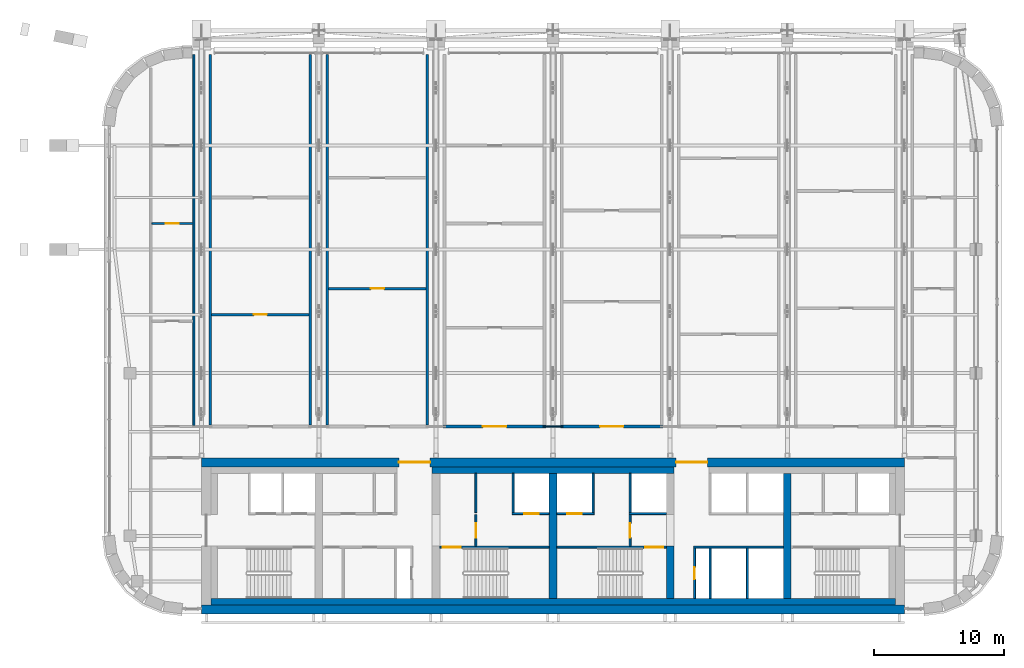
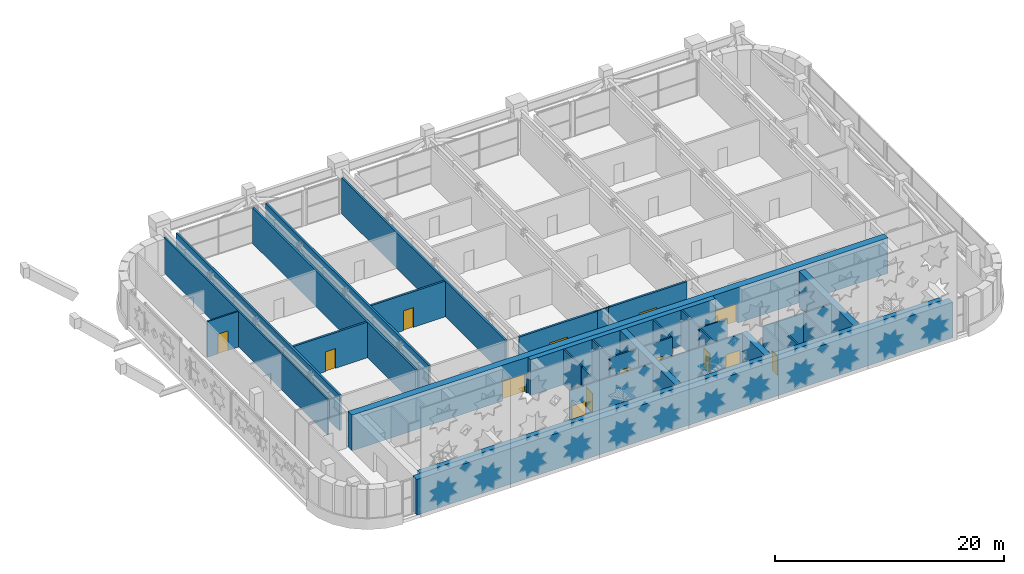
# One storey, part 17 of 26: 33 walls, 14 doors, 14 openings.
"""IFC4 building model written with IfcOpenShell, lengths in metres."""

from ifc_helpers import new_model, si_unit, direction, frame, frame_2d, origin, place, context, subcontext, project, spatial, rectangle, extrude, material, layer, layer_set, type_object, element, fill, save


model = new_model("IFC4")

# Units and contexts
model_context = context("Model", 3, precision=1e-05, world=origin(), true_north=direction((0.0, 1.0)))
body_context = subcontext(model_context, "Body", "Model", "MODEL_VIEW")
ifc_project = project(units=[si_unit("LENGTHUNIT", "METRE"), si_unit("AREAUNIT", "SQUARE_METRE"), si_unit("VOLUMEUNIT", "CUBIC_METRE"), si_unit("PLANEANGLEUNIT", "RADIAN"), si_unit("MASSUNIT", "GRAM", prefix="KILO")], contexts=[model_context])

# Site, building, storey
site_placement = place(None, origin())
site = spatial("IfcSite", under=ifc_project, at=site_placement, CompositionType="ELEMENT")
building_placement = place(site_placement, origin())
building = spatial("IfcBuilding", under=site, at=building_placement, Name="Zellij Exchange Tower", CompositionType="ELEMENT")
storey_placement = place(building_placement, frame((0.0, 0.0, 216.5)))
storey = spatial("IfcBuildingStorey", under=building, at=storey_placement, Name="L50", CompositionType="ELEMENT", Elevation=216.5)

# Walls
ifc_material_1 = material(Name="Concrete C50/60", Category="concrete")
ifc_layer_1 = layer(ifc_material_1, 0.60009765625)
ifc_layer_set_1 = layer_set([ifc_layer_1], Name="Concrete C50/60")
wall_type_1 = type_object("IfcWallType", Name="CORE-CW 600 C50/60", PredefinedType="SHEAR", material=ifc_layer_set_1)
wall_1_placement = place(storey_placement, frame((0.0, -12.800048828125, 0.0), z_axis=(0.0, 0.0, 1.0), x_axis=(0.0, 1.0, 0.0)))
element("IfcWall", 1, at=wall_1_placement, inside=storey, type_object=wall_type_1, Name="Core cross wall x 0 L50", PredefinedType="SHEAR", context=body_context, shape_type="SweptSolid", body=[
    extrude(rectangle(XDim=9.60009765625, YDim=0.60009765625, at=frame_2d((4.800048828125, 0.0))), origin(), (0.0, 0.0, 1.0), 3.800048828125),
])
wall_2_placement = place(storey_placement, frame((9.0, -12.800048828125, 0.0), z_axis=(0.0, 0.0, 1.0), x_axis=(0.0, 1.0, 0.0)))
element("IfcWall", 2, at=wall_2_placement, inside=storey, type_object=wall_type_1, Name="Core cross wall pier x 9 a L50", PredefinedType="SHEAR", context=body_context, shape_type="SweptSolid", body=[
    extrude(rectangle(XDim=4.0, YDim=0.60009765625, at=frame_2d((2.0, 0.0))), origin(), (0.0, 0.0, 1.0), 3.800048828125),
])
wall_3_placement = place(storey_placement, frame((18.0, -12.800048828125, 0.0), z_axis=(0.0, 0.0, 1.0), x_axis=(0.0, 1.0, 0.0)))
element("IfcWall", 3, at=wall_3_placement, inside=storey, type_object=wall_type_1, Name="Core cross wall x 18 L50", PredefinedType="SHEAR", context=body_context, shape_type="SweptSolid", body=[
    extrude(rectangle(XDim=9.60009765625, YDim=0.60009765625, at=frame_2d((4.800048828125, 0.0))), origin(), (0.0, 0.0, 1.0), 3.800048828125),
])
ifc_material_2 = material(Name="Concrete C30/37", Category="concrete")
ifc_layer_2 = layer(ifc_material_2, 0.5)
ifc_layer_set_2 = layer_set([ifc_layer_2], Name="Concrete C30/37")
wall_type_2 = type_object("IfcWallType", Name="CORE-LW 500 C30/37", PredefinedType="SHEAR", material=ifc_layer_set_2)
wall_4_placement = place(storey_placement, frame((-9.300048828125, -2.949951171875, 0.0), z_axis=(0.0, 0.0, 1.0), x_axis=(1.0, 0.0, 0.0)))
element("IfcWall", 4, at=wall_4_placement, inside=storey, type_object=wall_type_2, Name="Core wall lining front.1 L50", PredefinedType="SHEAR", context=body_context, shape_type="SweptSolid", body=[
    extrude(rectangle(XDim=18.60009765625, YDim=0.5, at=frame_2d((9.300048828125, 0.0))), origin(), (0.0, 0.0, 1.0), 3.800048828125),
])
wall_5_placement = place(storey_placement, frame((-26.300048828125, -13.050048828125, 0.0), z_axis=(0.0, 0.0, 1.0), x_axis=(1.0, 0.0, 0.0)))
element("IfcWall", 5, at=wall_5_placement, inside=storey, type_object=wall_type_2, Name="Core wall lining rear.0 L50", PredefinedType="SHEAR", context=body_context, shape_type="SweptSolid", body=[
    extrude(rectangle(XDim=52.60009765625, YDim=0.5, at=frame_2d((26.300048828125, 0.0))), origin(), (0.0, 0.0, 1.0), 3.800048828125),
])

# Wall, opening, door
ifc_material_3 = material(Name="Gypsum shaft wall system")
ifc_layer_3 = layer(ifc_material_3, 0.14990234375)
ifc_layer_set_3 = layer_set([ifc_layer_3], Name="Gypsum shaft wall system")
wall_type_3 = type_object("IfcWallType", Name="CORE-PW 150 Firefighting lobby wall", PredefinedType="PARTITIONING", material=ifc_layer_set_3)
wall_6_placement = place(storey_placement, frame((-5.925048828125, -8.800048828125, 0.0), z_axis=(0.0, 0.0, 1.0), x_axis=(0.0, 1.0, 0.0)))
wall_6 = element("IfcWall", 6, at=wall_6_placement, inside=storey, type_object=wall_type_3, Name="Firefighting lobby wall L50", PredefinedType="PARTITIONING", context=body_context, shape_type="SweptSolid", body=[
    extrude(rectangle(XDim=2.425048828125, YDim=0.14990234375, at=frame_2d((1.21240234375, 0.0))), origin(), (0.0, 0.0, 1.0), 3.800048828125),
])
opening_1_placement = place(wall_6_placement, frame((0.662109375, 0.0, 0.0)))
opening_1 = element("IfcOpeningElement", 7, at=opening_1_placement, cuts=wall_6, Name="Opening CA-27.12", PredefinedType="OPENING", context=body_context, shape_type="SweptSolid", body=[
    extrude(rectangle(XDim=1.10009765625, YDim=2.10009765625, at=frame_2d((0.550048828125, 1.050048828125))), frame((0.0, 0.0869140625, 0.0), z_axis=(0.0, -1.0, 0.0), x_axis=(1.0, 0.0, 0.0)), (0.0, 0.0, 1.0), 0.173828125),
])
ifc_material_4 = material(Name="Hollow metal fire door")
door_type_1 = type_object("IfcDoorType", Name="CORE-D F Firefighting lobby door 1100x2100 1 HR", OperationType="NOTDEFINED", PredefinedType="DOOR", material=ifc_material_4)
door_1_placement = place(opening_1_placement, origin())
door_1 = element("IfcDoor", 8, at=door_1_placement, inside=storey, type_object=door_type_1, Name="Firefighting lobby door CA-27.12", OperationType="SINGLE_SWING_LEFT", OverallHeight=2.10009765625, OverallWidth=1.10009765625, PredefinedType="DOOR", context=body_context, shape_type="SweptSolid", body=[
    extrude(rectangle(XDim=1.10009765625, YDim=2.10009765625, at=frame_2d((0.550048828125, 1.050048828125))), frame((0.0, 0.02490234375, 0.0), z_axis=(0.0, -1.0, 0.0), x_axis=(1.0, 0.0, 0.0)), (0.0, 0.0, 1.0), 0.050048828125),
])
fill(opening_1, door_1)

wall_7_placement = place(storey_placement, frame((5.925048828125, -8.800048828125, 0.0), z_axis=(0.0, 0.0, 1.0), x_axis=(0.0, 1.0, 0.0)))
wall_7 = element("IfcWall", 9, at=wall_7_placement, inside=storey, type_object=wall_type_3, Name="Firefighting lobby wall L50", PredefinedType="PARTITIONING", context=body_context, shape_type="SweptSolid", body=[
    extrude(rectangle(XDim=2.425048828125, YDim=0.14990234375, at=frame_2d((1.21240234375, 0.0))), origin(), (0.0, 0.0, 1.0), 3.800048828125),
])
opening_2_placement = place(wall_7_placement, frame((0.662109375, 0.0, 0.0)))
opening_2 = element("IfcOpeningElement", 10, at=opening_2_placement, cuts=wall_7, Name="Opening CA-27.15", PredefinedType="OPENING", context=body_context, shape_type="SweptSolid", body=[
    extrude(rectangle(XDim=1.10009765625, YDim=2.10009765625, at=frame_2d((0.550048828125, 1.050048828125))), frame((0.0, 0.0869140625, 0.0), z_axis=(0.0, -1.0, 0.0), x_axis=(1.0, 0.0, 0.0)), (0.0, 0.0, 1.0), 0.173828125),
])
door_2_placement = place(opening_2_placement, origin())
door_2 = element("IfcDoor", 11, at=door_2_placement, inside=storey, type_object=door_type_1, Name="Firefighting lobby door CA-27.15", OperationType="SINGLE_SWING_RIGHT", OverallHeight=2.10009765625, OverallWidth=1.10009765625, PredefinedType="DOOR", context=body_context, shape_type="SweptSolid", body=[
    extrude(rectangle(XDim=1.10009765625, YDim=2.10009765625, at=frame_2d((0.550048828125, 1.050048828125))), frame((0.0, 0.02490234375, 0.0), z_axis=(0.0, -1.0, 0.0), x_axis=(1.0, 0.0, 0.0)), (0.0, 0.0, 1.0), 0.050048828125),
])
fill(opening_2, door_2)

# Walls
ifc_layer_4 = layer(ifc_material_3, 0.14990234375)
ifc_layer_set_4 = layer_set([ifc_layer_4], Name="Gypsum shaft wall system")
wall_type_4 = type_object("IfcWallType", Name="CORE-PW 150 Lift shaft wall", PredefinedType="PARTITIONING", material=ifc_layer_set_4)
for number, where, z_axis, x_axis, name in (
    (12, (-3.074951171875, -6.22509765625, 0.0), (0.0, 0.0, 1.0), (0.0, 1.0, 0.0), "Lift shaft wall L50"),
    (13, (3.074951171875, -6.22509765625, 0.0), (0.0, 0.0, 1.0), (0.0, 1.0, 0.0), "Lift shaft wall L50"),
    (14, (5.925048828125, -6.22509765625, 0.0), (0.0, 0.0, 1.0), (0.0, 1.0, 0.0), "Lift shaft wall L50"),
):
    element("IfcWall", number, at=place(storey_placement, frame(where, z_axis=z_axis, x_axis=x_axis)), inside=storey, type_object=wall_type_4, Name=name, PredefinedType="PARTITIONING", context=body_context, shape_type="SweptSolid", body=[
        extrude(rectangle(XDim=3.025146484375, YDim=0.14990234375, at=frame_2d((1.5126953125, 0.0))), origin(), (0.0, 0.0, 1.0), 3.800048828125),
    ])
for number, where, z_axis, x_axis, name in (
    (15, (12.074951171875, -12.800048828125, 0.0), (0.0, 0.0, 1.0), (0.0, 1.0, 0.0), "Lift shaft wall L50"),
    (16, (14.925048828125, -12.800048828125, 0.0), (0.0, 0.0, 1.0), (0.0, 1.0, 0.0), "Lift shaft wall L50"),
):
    element("IfcWall", number, at=place(storey_placement, frame(where, z_axis=z_axis, x_axis=x_axis)), inside=storey, type_object=wall_type_4, Name=name, PredefinedType="PARTITIONING", context=body_context, shape_type="SweptSolid", body=[
        extrude(rectangle(XDim=3.85009765625, YDim=0.14990234375, at=frame_2d((1.925048828125, 0.0))), origin(), (0.0, 0.0, 1.0), 3.800048828125),
    ])

# Wall, opening, door
wall_8_placement = place(storey_placement, frame((-3.14990234375, -6.300048828125, 0.0), z_axis=(0.0, 0.0, 1.0), x_axis=(1.0, 0.0, 0.0)))
wall_8 = element("IfcWall", 17, at=wall_8_placement, inside=storey, type_object=wall_type_4, Name="Lift shaft wall L50", PredefinedType="PARTITIONING", context=body_context, shape_type="SweptSolid", body=[
    extrude(rectangle(XDim=2.849853515625, YDim=0.14990234375, at=frame_2d((1.4248046875, 0.0))), origin(), (0.0, 0.0, 1.0), 3.800048828125),
])
opening_3_placement = place(wall_8_placement, frame((0.949951171875, 0.0, 0.0)))
opening_3 = element("IfcOpeningElement", 18, at=opening_3_placement, cuts=wall_8, Name="Opening CA-27.13", PredefinedType="OPENING", context=body_context, shape_type="SweptSolid", body=[
    extrude(rectangle(XDim=1.10009765625, YDim=2.10009765625, at=frame_2d((0.550048828125, 1.050048828125))), frame((0.0, 0.0869140625, 0.0), z_axis=(0.0, -1.0, 0.0), x_axis=(1.0, 0.0, 0.0)), (0.0, 0.0, 1.0), 0.173828125),
])
door_type_2 = type_object("IfcDoorType", Name="CORE-D LD Lift landing door 1100x2100 1.5 HR", OperationType="NOTDEFINED", PredefinedType="DOOR", material=ifc_material_4)
door_3_placement = place(opening_3_placement, origin())
door_3 = element("IfcDoor", 19, at=door_3_placement, inside=storey, type_object=door_type_2, Name="Lift landing door CA-27.13", OperationType="SLIDING_TO_LEFT", OverallHeight=2.10009765625, OverallWidth=1.10009765625, PredefinedType="DOOR", context=body_context, shape_type="SweptSolid", body=[
    extrude(rectangle(XDim=1.10009765625, YDim=2.10009765625, at=frame_2d((0.550048828125, 1.050048828125))), frame((0.0, 0.02490234375, 0.0), z_axis=(0.0, -1.0, 0.0), x_axis=(1.0, 0.0, 0.0)), (0.0, 0.0, 1.0), 0.050048828125),
])
fill(opening_3, door_3)

wall_9_placement = place(storey_placement, frame((0.300048828125, -6.300048828125, 0.0), z_axis=(0.0, 0.0, 1.0), x_axis=(1.0, 0.0, 0.0)))
wall_9 = element("IfcWall", 20, at=wall_9_placement, inside=storey, type_object=wall_type_4, Name="Lift shaft wall L50", PredefinedType="PARTITIONING", context=body_context, shape_type="SweptSolid", body=[
    extrude(rectangle(XDim=2.849853515625, YDim=0.14990234375, at=frame_2d((1.4248046875, 0.0))), origin(), (0.0, 0.0, 1.0), 3.800048828125),
])
opening_4_placement = place(wall_9_placement, frame((0.800048828125, 0.0, 0.0)))
opening_4 = element("IfcOpeningElement", 21, at=opening_4_placement, cuts=wall_9, Name="Opening CA-27.14", PredefinedType="OPENING", context=body_context, shape_type="SweptSolid", body=[
    extrude(rectangle(XDim=1.10009765625, YDim=2.10009765625, at=frame_2d((0.550048828125, 1.050048828125))), frame((0.0, 0.0869140625, 0.0), z_axis=(0.0, -1.0, 0.0), x_axis=(1.0, 0.0, 0.0)), (0.0, 0.0, 1.0), 0.173828125),
])
door_4_placement = place(opening_4_placement, origin())
door_4 = element("IfcDoor", 22, at=door_4_placement, inside=storey, type_object=door_type_2, Name="Lift landing door CA-27.14", OperationType="SLIDING_TO_RIGHT", OverallHeight=2.10009765625, OverallWidth=1.10009765625, PredefinedType="DOOR", context=body_context, shape_type="SweptSolid", body=[
    extrude(rectangle(XDim=1.10009765625, YDim=2.10009765625, at=frame_2d((0.550048828125, 1.050048828125))), frame((0.0, 0.02490234375, 0.0), z_axis=(0.0, -1.0, 0.0), x_axis=(1.0, 0.0, 0.0)), (0.0, 0.0, 1.0), 0.050048828125),
])
fill(opening_4, door_4)

# Walls
wall_10_placement = place(storey_placement, frame((5.85009765625, -6.300048828125, 0.0), z_axis=(0.0, 0.0, 1.0), x_axis=(1.0, 0.0, 0.0)))
element("IfcWall", 23, at=wall_10_placement, inside=storey, type_object=wall_type_4, Name="Lift shaft wall L50", PredefinedType="PARTITIONING", context=body_context, shape_type="SweptSolid", body=[
    extrude(rectangle(XDim=2.849853515625, YDim=0.14990234375, at=frame_2d((1.4248046875, 0.0))), origin(), (0.0, 0.0, 1.0), 3.800048828125),
])
wall_11_placement = place(storey_placement, frame((10.800048828125, -8.875, 0.0), z_axis=(0.0, 0.0, 1.0), x_axis=(1.0, 0.0, 0.0)))
element("IfcWall", 24, at=wall_11_placement, inside=storey, type_object=wall_type_4, Name="Lift shaft wall L50", PredefinedType="PARTITIONING", context=body_context, shape_type="SweptSolid", body=[
    extrude(rectangle(XDim=6.89990234375, YDim=0.14990234375, at=frame_2d((3.449951171875, 0.0))), origin(), (0.0, 0.0, 1.0), 3.800048828125),
])
ifc_layer_5 = layer(ifc_material_3, 0.14990234375)
ifc_layer_set_5 = layer_set([ifc_layer_5], Name="Gypsum shaft wall system")
wall_type_5 = type_object("IfcWallType", Name="CORE-PW 150 Plant room wall", PredefinedType="PARTITIONING", material=ifc_layer_set_5)
wall_12_placement = place(storey_placement, frame((-5.925048828125, -6.22509765625, 0.0), z_axis=(0.0, 0.0, 1.0), x_axis=(0.0, 1.0, 0.0)))
element("IfcWall", 25, at=wall_12_placement, inside=storey, type_object=wall_type_5, Name="Plant room wall L50", PredefinedType="PARTITIONING", context=body_context, shape_type="SweptSolid", body=[
    extrude(rectangle(XDim=3.025146484375, YDim=0.14990234375, at=frame_2d((1.5126953125, 0.0))), origin(), (0.0, 0.0, 1.0), 3.800048828125),
])

# Wall, opening, door
wall_13_placement = place(storey_placement, frame((10.875, -12.800048828125, 0.0), z_axis=(0.0, 0.0, 1.0), x_axis=(0.0, 1.0, 0.0)))
wall_13 = element("IfcWall", 26, at=wall_13_placement, inside=storey, type_object=wall_type_5, Name="Plant room wall L50", PredefinedType="PARTITIONING", context=body_context, shape_type="SweptSolid", body=[
    extrude(rectangle(XDim=3.85009765625, YDim=0.14990234375, at=frame_2d((1.925048828125, 0.0))), origin(), (0.0, 0.0, 1.0), 3.800048828125),
])
opening_5_placement = place(wall_13_placement, frame((1.47509765625, 0.0, 0.0)))
opening_5 = element("IfcOpeningElement", 27, at=opening_5_placement, cuts=wall_13, Name="Opening CA-27.18", PredefinedType="OPENING", context=body_context, shape_type="SweptSolid", body=[
    extrude(rectangle(XDim=0.89990234375, YDim=2.10009765625, at=frame_2d((0.449951171875, 1.050048828125))), frame((0.0, 0.0869140625, 0.0), z_axis=(0.0, -1.0, 0.0), x_axis=(1.0, 0.0, 0.0)), (0.0, 0.0, 1.0), 0.173828125),
])
door_type_3 = type_object("IfcDoorType", Name="CORE-D RD Riser door 900x2100 1.5 HR", OperationType="NOTDEFINED", PredefinedType="DOOR", material=ifc_material_4)
door_5_placement = place(opening_5_placement, origin())
door_5 = element("IfcDoor", 28, at=door_5_placement, inside=storey, type_object=door_type_3, Name="Riser door CA-27.18", OperationType="SINGLE_SWING_LEFT", OverallHeight=2.10009765625, OverallWidth=0.89990234375, PredefinedType="DOOR", context=body_context, shape_type="SweptSolid", body=[
    extrude(rectangle(XDim=0.89990234375, YDim=2.10009765625, at=frame_2d((0.449951171875, 1.050048828125))), frame((0.0, 0.02490234375, 0.0), z_axis=(0.0, -1.0, 0.0), x_axis=(1.0, 0.0, 0.0)), (0.0, 0.0, 1.0), 0.050048828125),
])
fill(opening_5, door_5)

# Wall, openings, doors
ifc_layer_6 = layer(ifc_material_1, 0.699951171875)
ifc_layer_set_6 = layer_set([ifc_layer_6], Name="Concrete C50/60")
wall_type_6 = type_object("IfcWallType", Name="CORE-SW 700 C50/60", PredefinedType="SHEAR", material=ifc_layer_set_6)
wall_14_placement = place(storey_placement, frame((-27.0, -2.35009765625, 0.0), z_axis=(0.0, 0.0, 1.0), x_axis=(1.0, 0.0, 0.0)))
wall_14 = element("IfcWall", 29, at=wall_14_placement, inside=storey, type_object=wall_type_6, Name="Core shear wall front L50", PredefinedType="SHEAR", context=body_context, shape_type="SweptSolid", body=[
    extrude(rectangle(XDim=54.0, YDim=0.699951171875, at=frame_2d((27.0, 0.0))), origin(), (0.0, 0.0, 1.0), 3.800048828125),
])
opening_6_placement = place(wall_14_placement, frame((15.14990234375, 0.0, 0.0)))
opening_6 = element("IfcOpeningElement", 30, at=opening_6_placement, cuts=wall_14, Name="Opening CA-27.10", PredefinedType="OPENING", context=body_context, shape_type="SweptSolid", body=[
    extrude(rectangle(XDim=2.39990234375, YDim=2.10009765625, at=frame_2d((1.199951171875, 1.050048828125))), frame((0.0, 0.36181640625, 0.0), z_axis=(0.0, -1.0, 0.0), x_axis=(1.0, 0.0, 0.0)), (0.0, 0.0, 1.0), 0.723876953125),
])
opening_7_placement = place(wall_14_placement, frame((36.449951171875, 0.0, 0.0)))
opening_7 = element("IfcOpeningElement", 31, at=opening_7_placement, cuts=wall_14, Name="Opening CA-27.17", PredefinedType="OPENING", context=body_context, shape_type="SweptSolid", body=[
    extrude(rectangle(XDim=2.39990234375, YDim=2.10009765625, at=frame_2d((1.199951171875, 1.050048828125))), frame((0.0, 0.36181640625, 0.0), z_axis=(0.0, -1.0, 0.0), x_axis=(1.0, 0.0, 0.0)), (0.0, 0.0, 1.0), 0.723876953125),
])
door_type_4 = type_object("IfcDoorType", Name="CORE-D CE Core entrance door 2400x2100 20 MIN", OperationType="NOTDEFINED", PredefinedType="DOOR", material=ifc_material_4)
door_6_placement = place(opening_6_placement, origin())
door_6 = element("IfcDoor", 32, at=door_6_placement, inside=storey, type_object=door_type_4, Name="Core entrance door CA-27.10", OperationType="DOUBLE_DOOR_SINGLE_SWING", OverallHeight=2.10009765625, OverallWidth=2.39990234375, PredefinedType="DOOR", context=body_context, shape_type="SweptSolid", body=[
    extrude(rectangle(XDim=2.39990234375, YDim=2.10009765625, at=frame_2d((1.199951171875, 1.050048828125))), frame((0.0, 0.02490234375, 0.0), z_axis=(0.0, -1.0, 0.0), x_axis=(1.0, 0.0, 0.0)), (0.0, 0.0, 1.0), 0.050048828125),
])
fill(opening_6, door_6)
door_7_placement = place(opening_7_placement, origin())
door_7 = element("IfcDoor", 33, at=door_7_placement, inside=storey, type_object=door_type_4, Name="Core entrance door CA-27.17", OperationType="DOUBLE_DOOR_SINGLE_SWING", OverallHeight=2.10009765625, OverallWidth=2.39990234375, PredefinedType="DOOR", context=body_context, shape_type="SweptSolid", body=[
    extrude(rectangle(XDim=2.39990234375, YDim=2.10009765625, at=frame_2d((1.199951171875, 1.050048828125))), frame((0.0, 0.02490234375, 0.0), z_axis=(0.0, -1.0, 0.0), x_axis=(1.0, 0.0, 0.0)), (0.0, 0.0, 1.0), 0.050048828125),
])
fill(opening_7, door_7)

# Wall
wall_15_placement = place(storey_placement, frame((-27.0, -13.64990234375, 0.0), z_axis=(0.0, 0.0, 1.0), x_axis=(1.0, 0.0, 0.0)))
element("IfcWall", 34, at=wall_15_placement, inside=storey, type_object=wall_type_6, Name="Core shear wall rear L50", PredefinedType="SHEAR", context=body_context, shape_type="SweptSolid", body=[
    extrude(rectangle(XDim=54.0, YDim=0.699951171875, at=frame_2d((27.0, 0.0))), origin(), (0.0, 0.0, 1.0), 3.800048828125),
])

# Wall, opening, door
ifc_layer_7 = layer(ifc_material_1, 0.14990234375)
ifc_layer_set_7 = layer_set([ifc_layer_7], Name="Concrete C50/60")
wall_type_7 = type_object("IfcWallType", Name="CORE-SWS 150 C50/60", PredefinedType="SHEAR", material=ifc_layer_set_7)
wall_16_placement = place(storey_placement, frame((-8.699951171875, -8.875, 0.0), z_axis=(0.0, 0.0, 1.0), x_axis=(1.0, 0.0, 0.0)))
wall_16 = element("IfcWall", 35, at=wall_16_placement, inside=storey, type_object=wall_type_7, Name="Stair enclosure wall L50", PredefinedType="SHEAR", context=body_context, shape_type="SweptSolid", body=[
    extrude(rectangle(XDim=8.39990234375, YDim=0.14990234375, at=frame_2d((4.199951171875, 0.0))), origin(), (0.0, 0.0, 1.0), 3.800048828125),
])
opening_8_placement = place(wall_16_placement, frame((0.22509765625, 0.0, 0.0)))
opening_8 = element("IfcOpeningElement", 36, at=opening_8_placement, cuts=wall_16, Name="Opening CA-27.11", PredefinedType="OPENING", context=body_context, shape_type="SweptSolid", body=[
    extrude(rectangle(XDim=1.39990234375, YDim=2.10009765625, at=frame_2d((0.699951171875, 1.050048828125))), frame((0.0, 0.0869140625, 0.0), z_axis=(0.0, -1.0, 0.0), x_axis=(1.0, 0.0, 0.0)), (0.0, 0.0, 1.0), 0.173828125),
])
door_type_5 = type_object("IfcDoorType", Name="CORE-D SD Stair door 1400x2100 1.5 HR", OperationType="NOTDEFINED", PredefinedType="DOOR", material=ifc_material_4)
door_8_placement = place(opening_8_placement, origin())
door_8 = element("IfcDoor", 37, at=door_8_placement, inside=storey, type_object=door_type_5, Name="Stair door CA-27.11", OperationType="DOUBLE_DOOR_SINGLE_SWING", OverallHeight=2.10009765625, OverallWidth=1.39990234375, PredefinedType="DOOR", context=body_context, shape_type="SweptSolid", body=[
    extrude(rectangle(XDim=1.39990234375, YDim=2.10009765625, at=frame_2d((0.699951171875, 1.050048828125))), frame((0.0, 0.02490234375, 0.0), z_axis=(0.0, -1.0, 0.0), x_axis=(1.0, 0.0, 0.0)), (0.0, 0.0, 1.0), 0.050048828125),
])
fill(opening_8, door_8)

wall_17_placement = place(storey_placement, frame((0.300048828125, -8.875, 0.0), z_axis=(0.0, 0.0, 1.0), x_axis=(1.0, 0.0, 0.0)))
wall_17 = element("IfcWall", 38, at=wall_17_placement, inside=storey, type_object=wall_type_7, Name="Stair enclosure wall L50", PredefinedType="SHEAR", context=body_context, shape_type="SweptSolid", body=[
    extrude(rectangle(XDim=8.39990234375, YDim=0.14990234375, at=frame_2d((4.199951171875, 0.0))), origin(), (0.0, 0.0, 1.0), 3.800048828125),
])
opening_9_placement = place(wall_17_placement, frame((6.77490234375, 0.0, 0.0)))
opening_9 = element("IfcOpeningElement", 39, at=opening_9_placement, cuts=wall_17, Name="Opening CA-27.16", PredefinedType="OPENING", context=body_context, shape_type="SweptSolid", body=[
    extrude(rectangle(XDim=1.39990234375, YDim=2.10009765625, at=frame_2d((0.699951171875, 1.050048828125))), frame((0.0, 0.0869140625, 0.0), z_axis=(0.0, -1.0, 0.0), x_axis=(1.0, 0.0, 0.0)), (0.0, 0.0, 1.0), 0.173828125),
])
door_9_placement = place(opening_9_placement, origin())
door_9 = element("IfcDoor", 40, at=door_9_placement, inside=storey, type_object=door_type_5, Name="Stair door CA-27.16", OperationType="DOUBLE_DOOR_SINGLE_SWING", OverallHeight=2.10009765625, OverallWidth=1.39990234375, PredefinedType="DOOR", context=body_context, shape_type="SweptSolid", body=[
    extrude(rectangle(XDim=1.39990234375, YDim=2.10009765625, at=frame_2d((0.699951171875, 1.050048828125))), frame((0.0, 0.02490234375, 0.0), z_axis=(0.0, -1.0, 0.0), x_axis=(1.0, 0.0, 0.0)), (0.0, 0.0, 1.0), 0.050048828125),
])
fill(opening_9, door_9)

# Walls
ifc_material_5 = material(Name="Blockwork fire wall", Category="masonry")
ifc_layer_8 = layer(ifc_material_5, 0.199951171875)
ifc_layer_set_8 = layer_set([ifc_layer_8], Name="Blockwork fire wall")
wall_type_8 = type_object("IfcWallType", Name="FIT-BLOCKWORK-200-EI120", PredefinedType="PARTITIONING", material=ifc_layer_set_8)
wall_18_placement = place(storey_placement, frame((-26.340087890625, 0.5, 0.0), z_axis=(0.0, 0.0, 1.0), x_axis=(0.0, 1.0, 0.0)))
element("IfcWall", 41, at=wall_18_placement, inside=storey, type_object=wall_type_8, Name="FIT-BLOCKWORK-200-EI120 012", PredefinedType="PARTITIONING", context=body_context, shape_type="SweptSolid", body=[
    extrude(rectangle(XDim=28.5, YDim=0.199951171875, at=frame_2d((14.25, 0.0))), origin(), (0.0, 0.0, 1.0), 3.800048828125),
])
for number, where, z_axis, x_axis, name in (
    (42, (-18.659912109375, 0.5, 0.0), (0.0, 0.0, 1.0), (0.0, 1.0, 0.0), "FIT-BLOCKWORK-200-EI120 014"),
    (43, (-17.340087890625, 0.5, 0.0), (0.0, 0.0, 1.0), (0.0, 1.0, 0.0), "FIT-BLOCKWORK-200-EI120 016"),
):
    element("IfcWall", number, at=place(storey_placement, frame(where, z_axis=z_axis, x_axis=x_axis)), inside=storey, type_object=wall_type_8, Name=name, PredefinedType="PARTITIONING", context=body_context, shape_type="SweptSolid", body=[
        extrude(rectangle(XDim=28.49609375, YDim=0.199951171875, at=frame_2d((14.248046875, 0.0))), origin(), (0.0, 0.0, 1.0), 3.800048828125),
    ])
wall_19_placement = place(storey_placement, frame((-9.659912109375, 0.5, 0.0), z_axis=(0.0, 0.0, 1.0), x_axis=(0.0, 1.0, 0.0)))
element("IfcWall", 44, at=wall_19_placement, inside=storey, type_object=wall_type_8, Name="FIT-BLOCKWORK-200-EI120 018", PredefinedType="PARTITIONING", context=body_context, shape_type="SweptSolid", body=[
    extrude(rectangle(XDim=28.5, YDim=0.199951171875, at=frame_2d((14.25, 0.0))), origin(), (0.0, 0.0, 1.0), 3.800048828125),
])

# Wall, opening, door
wall_20_placement = place(storey_placement, frame((-8.43994140625, 0.39990234375, 0.0), z_axis=(0.0, 0.0, 1.0), x_axis=(1.0, 0.0, 0.0)))
wall_20 = element("IfcWall", 45, at=wall_20_placement, inside=storey, type_object=wall_type_8, Name="FIT-BLOCKWORK-200-EI120 019", PredefinedType="PARTITIONING", context=body_context, shape_type="SweptSolid", body=[
    extrude(rectangle(XDim=7.8798828125, YDim=0.199951171875, at=frame_2d((3.93994140625, 0.0))), origin(), (0.0, 0.0, 1.0), 3.800048828125),
])
opening_10_placement = place(wall_20_placement, frame((3.050048828125, 0.0, 0.0)))
opening_10 = element("IfcOpeningElement", 46, at=opening_10_placement, cuts=wall_20, Name="Opening PL50.06", PredefinedType="OPENING", context=body_context, shape_type="SweptSolid", body=[
    extrude(rectangle(XDim=1.800048828125, YDim=2.10009765625, at=frame_2d((0.89990234375, 1.050048828125))), frame((0.0, 0.11181640625, 0.0), z_axis=(0.0, -1.0, 0.0), x_axis=(1.0, 0.0, 0.0)), (0.0, 0.0, 1.0), 0.223876953125),
])
ifc_material_6 = material(Name="Steel fire door set", Category="steel")
door_type_6 = type_object("IfcDoorType", Name="FIT-D5-FIRE-DOUBLE-1800X2100", OperationType="DOUBLE_DOOR_SINGLE_SWING", PredefinedType="DOOR", material=ifc_material_6)
door_10_placement = place(opening_10_placement, origin())
door_10 = element("IfcDoor", 47, at=door_10_placement, inside=storey, type_object=door_type_6, Name="Door PL50.06", OperationType="DOUBLE_DOOR_SINGLE_SWING", OverallHeight=2.10009765625, OverallWidth=1.800048828125, PredefinedType="DOOR", context=body_context, shape_type="SweptSolid", body=[
    extrude(rectangle(XDim=1.800048828125, YDim=2.10009765625, at=frame_2d((0.89990234375, 1.050048828125))), frame((0.0, 0.02490234375, 0.0), z_axis=(0.0, -1.0, 0.0), x_axis=(1.0, 0.0, 0.0)), (0.0, 0.0, 1.0), 0.050048828125),
])
fill(opening_10, door_10)

wall_21_placement = place(storey_placement, frame((0.56005859375, 0.39990234375, 0.0), z_axis=(0.0, 0.0, 1.0), x_axis=(1.0, 0.0, 0.0)))
wall_21 = element("IfcWall", 48, at=wall_21_placement, inside=storey, type_object=wall_type_8, Name="FIT-BLOCKWORK-200-EI120 023", PredefinedType="PARTITIONING", context=body_context, shape_type="SweptSolid", body=[
    extrude(rectangle(XDim=7.8798828125, YDim=0.199951171875, at=frame_2d((3.93994140625, 0.0))), origin(), (0.0, 0.0, 1.0), 3.800048828125),
])
opening_11_placement = place(wall_21_placement, frame((3.050048828125, 0.0, 0.0)))
opening_11 = element("IfcOpeningElement", 49, at=opening_11_placement, cuts=wall_21, Name="Opening PL50.07", PredefinedType="OPENING", context=body_context, shape_type="SweptSolid", body=[
    extrude(rectangle(XDim=1.800048828125, YDim=2.10009765625, at=frame_2d((0.89990234375, 1.050048828125))), frame((0.0, 0.11181640625, 0.0), z_axis=(0.0, -1.0, 0.0), x_axis=(1.0, 0.0, 0.0)), (0.0, 0.0, 1.0), 0.223876953125),
])
door_11_placement = place(opening_11_placement, origin())
door_11 = element("IfcDoor", 50, at=door_11_placement, inside=storey, type_object=door_type_6, Name="Door PL50.07", OperationType="DOUBLE_DOOR_SINGLE_SWING", OverallHeight=2.10009765625, OverallWidth=1.800048828125, PredefinedType="DOOR", context=body_context, shape_type="SweptSolid", body=[
    extrude(rectangle(XDim=1.800048828125, YDim=2.10009765625, at=frame_2d((0.89990234375, 1.050048828125))), frame((0.0, 0.02490234375, 0.0), z_axis=(0.0, -1.0, 0.0), x_axis=(1.0, 0.0, 0.0)), (0.0, 0.0, 1.0), 0.050048828125),
])
fill(opening_11, door_11)

wall_22_placement = place(storey_placement, frame((-26.239990234375, 9.0, 0.0), z_axis=(0.0, 0.0, 1.0), x_axis=(1.0, 0.0, 0.0)))
wall_22 = element("IfcWall", 51, at=wall_22_placement, inside=storey, type_object=wall_type_8, Name="FIT-BLOCKWORK-200-EI120 041", PredefinedType="PARTITIONING", context=body_context, shape_type="SweptSolid", body=[
    extrude(rectangle(XDim=7.47998046875, YDim=0.199951171875, at=frame_2d((3.739990234375, 0.0))), origin(), (0.0, 0.0, 1.0), 3.800048828125),
])
opening_12_placement = place(wall_22_placement, frame((3.25, 0.0, 0.0)))
opening_12 = element("IfcOpeningElement", 52, at=opening_12_placement, cuts=wall_22, Name="Opening PL50.14", PredefinedType="OPENING", context=body_context, shape_type="SweptSolid", body=[
    extrude(rectangle(XDim=1.0, YDim=2.10009765625, at=frame_2d((0.5, 1.050048828125))), frame((0.0, 0.11181640625, 0.0), z_axis=(0.0, -1.0, 0.0), x_axis=(1.0, 0.0, 0.0)), (0.0, 0.0, 1.0), 0.223876953125),
])
door_type_7 = type_object("IfcDoorType", Name="FIT-D4-FIRE-1000X2100", OperationType="SINGLE_SWING_LEFT", PredefinedType="DOOR", material=ifc_material_6)
door_12_placement = place(opening_12_placement, origin())
door_12 = element("IfcDoor", 53, at=door_12_placement, inside=storey, type_object=door_type_7, Name="Door PL50.14", OperationType="SINGLE_SWING_RIGHT", OverallHeight=2.10009765625, OverallWidth=1.0, PredefinedType="DOOR", context=body_context, shape_type="SweptSolid", body=[
    extrude(rectangle(XDim=1.0, YDim=2.10009765625, at=frame_2d((0.5, 1.050048828125))), frame((0.0, 0.02490234375, 0.0), z_axis=(0.0, -1.0, 0.0), x_axis=(1.0, 0.0, 0.0)), (0.0, 0.0, 1.0), 0.050048828125),
])
fill(opening_12, door_12)

wall_23_placement = place(storey_placement, frame((-17.239990234375, 11.0, 0.0), z_axis=(0.0, 0.0, 1.0), x_axis=(1.0, 0.0, 0.0)))
wall_23 = element("IfcWall", 54, at=wall_23_placement, inside=storey, type_object=wall_type_8, Name="FIT-BLOCKWORK-200-EI120 044", PredefinedType="PARTITIONING", context=body_context, shape_type="SweptSolid", body=[
    extrude(rectangle(XDim=7.47998046875, YDim=0.199951171875, at=frame_2d((3.739990234375, 0.0))), origin(), (0.0, 0.0, 1.0), 3.800048828125),
])
opening_13_placement = place(wall_23_placement, frame((3.25, 0.0, 0.0)))
opening_13 = element("IfcOpeningElement", 55, at=opening_13_placement, cuts=wall_23, Name="Opening PL50.17", PredefinedType="OPENING", context=body_context, shape_type="SweptSolid", body=[
    extrude(rectangle(XDim=1.0, YDim=2.10009765625, at=frame_2d((0.5, 1.050048828125))), frame((0.0, 0.11181640625, 0.0), z_axis=(0.0, -1.0, 0.0), x_axis=(1.0, 0.0, 0.0)), (0.0, 0.0, 1.0), 0.223876953125),
])
door_13_placement = place(opening_13_placement, origin())
door_13 = element("IfcDoor", 56, at=door_13_placement, inside=storey, type_object=door_type_7, Name="Door PL50.17", OperationType="SINGLE_SWING_RIGHT", OverallHeight=2.10009765625, OverallWidth=1.0, PredefinedType="DOOR", context=body_context, shape_type="SweptSolid", body=[
    extrude(rectangle(XDim=1.0, YDim=2.10009765625, at=frame_2d((0.5, 1.050048828125))), frame((0.0, 0.02490234375, 0.0), z_axis=(0.0, -1.0, 0.0), x_axis=(1.0, 0.0, 0.0)), (0.0, 0.0, 1.0), 0.050048828125),
])
fill(opening_13, door_13)

# Walls
ifc_material_7 = material(Name="Gypsum board partition on steel studs", Category="steel")
ifc_layer_9 = layer(ifc_material_7, 0.10009765625)
ifc_layer_set_9 = layer_set([ifc_layer_9], Name="Gypsum board partition on steel studs")
wall_type_9 = type_object("IfcWallType", Name="FIT-PARTITION-100", PredefinedType="PARTITIONING", material=ifc_layer_set_9)
wall_24_placement = place(storey_placement, frame((-0.760009765625, 0.39990234375, 0.0), z_axis=(0.0, 0.0, 1.0), x_axis=(1.0, 0.0, 0.0)))
element("IfcWall", 57, at=wall_24_placement, inside=storey, type_object=wall_type_9, Name="FIT-PARTITION-100 021", PredefinedType="PARTITIONING", context=body_context, shape_type="SweptSolid", body=[
    extrude(rectangle(XDim=1.52001953125, YDim=0.10009765625, at=frame_2d((0.760009765625, 0.0))), origin(), (0.0, 0.0, 1.0), 3.800048828125),
])
ifc_material_8 = material(Name="Gypsum board shaft-wall partition", Category="gypsum")
ifc_layer_10 = layer(ifc_material_8, 0.14990234375)
ifc_layer_set_10 = layer_set([ifc_layer_10], Name="Gypsum board shaft-wall partition")
wall_type_10 = type_object("IfcWallType", Name="FIT-PARTITION-150-EI60", PredefinedType="PARTITIONING", material=ifc_layer_set_10)
wall_25_placement = place(storey_placement, frame((-27.60009765625, 0.47509765625, 0.0), z_axis=(0.0, 0.0, 1.0), x_axis=(0.0, 1.0, 0.0)))
element("IfcWall", 58, at=wall_25_placement, inside=storey, type_object=wall_type_10, Name="FIT-PARTITION-150-EI60 010", PredefinedType="PARTITIONING", context=body_context, shape_type="SweptSolid", body=[
    extrude(rectangle(XDim=28.5048828125, YDim=0.14990234375, at=frame_2d((14.25244140625, 0.0))), origin(), (0.0, 0.0, 1.0), 3.800048828125),
])

# Wall, opening, door
wall_26_placement = place(storey_placement, frame((-30.824951171875, 16.0, 0.0), z_axis=(0.0, 0.0, 1.0), x_axis=(1.0, 0.0, 0.0)))
wall_26 = element("IfcWall", 59, at=wall_26_placement, inside=storey, type_object=wall_type_10, Name="FIT-PARTITION-150-EI60 047", PredefinedType="PARTITIONING", context=body_context, shape_type="SweptSolid", body=[
    extrude(rectangle(XDim=3.14990234375, YDim=0.14990234375, at=frame_2d((1.574951171875, 0.0))), origin(), (0.0, 0.0, 1.0), 3.800048828125),
])
opening_14_placement = place(wall_26_placement, frame((1.074951171875, 0.0, 0.0)))
opening_14 = element("IfcOpeningElement", 60, at=opening_14_placement, cuts=wall_26, Name="Opening PL50.20", PredefinedType="OPENING", context=body_context, shape_type="SweptSolid", body=[
    extrude(rectangle(XDim=1.0, YDim=2.10009765625, at=frame_2d((0.5, 1.050048828125))), frame((0.0, 0.0869140625, 0.0), z_axis=(0.0, -1.0, 0.0), x_axis=(1.0, 0.0, 0.0)), (0.0, 0.0, 1.0), 0.173828125),
])
door_14_placement = place(opening_14_placement, origin())
door_14 = element("IfcDoor", 61, at=door_14_placement, inside=storey, type_object=door_type_7, Name="Door PL50.20", OperationType="SINGLE_SWING_RIGHT", OverallHeight=2.10009765625, OverallWidth=1.0, PredefinedType="DOOR", context=body_context, shape_type="SweptSolid", body=[
    extrude(rectangle(XDim=1.0, YDim=2.10009765625, at=frame_2d((0.5, 1.050048828125))), frame((0.0, 0.02490234375, 0.0), z_axis=(0.0, -1.0, 0.0), x_axis=(1.0, 0.0, 0.0)), (0.0, 0.0, 1.0), 0.050048828125),
])
fill(opening_14, door_14)

save(model, "model.ifc")
